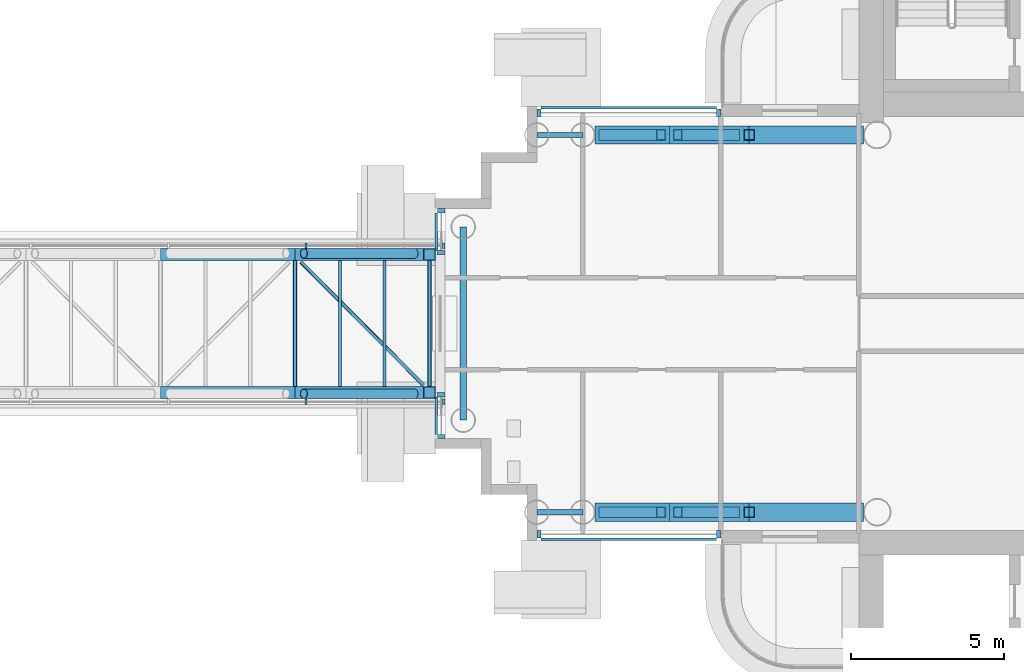
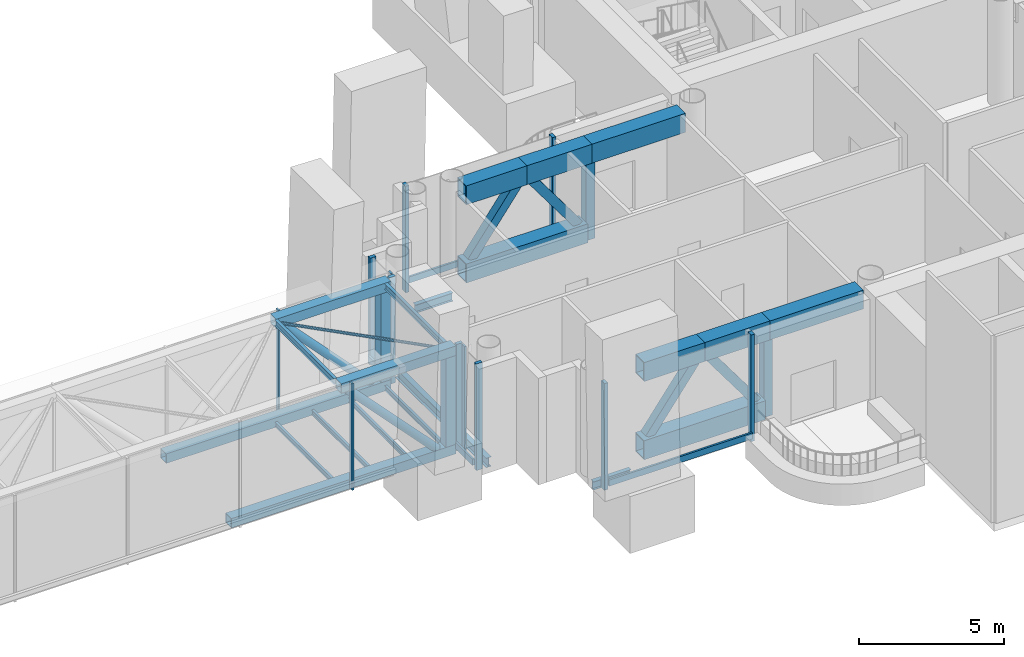
# One storey, part 7 of 26: 39 members, 9 beams, 6 elements without a shape of their own.
"""IFC4 building model written with IfcOpenShell, lengths in metres."""

from ifc_helpers import new_model, si_unit, direction, frame, origin, origin_2d, place, context, subcontext, project, spatial, rectangle, hollow_rectangle, hollow_circle, i_section, extrude, material, layer, layer_set, material_profile, profile_set, type_object, element, aggregate, save


model = new_model("IFC4")

# Units and contexts
model_context = context("Model", 3, precision=1e-05, world=origin(), true_north=direction((0.0, 1.0)))
body_context = subcontext(model_context, "Body", "Model", "MODEL_VIEW")
ifc_project = project(units=[si_unit("LENGTHUNIT", "METRE"), si_unit("AREAUNIT", "SQUARE_METRE"), si_unit("VOLUMEUNIT", "CUBIC_METRE"), si_unit("PLANEANGLEUNIT", "RADIAN"), si_unit("MASSUNIT", "GRAM", prefix="KILO")], contexts=[model_context])

# Site, building, storey
site_placement = place(None, origin())
site = spatial("IfcSite", under=ifc_project, at=site_placement, CompositionType="ELEMENT")
building_placement = place(site_placement, origin())
building = spatial("IfcBuilding", under=site, at=building_placement, Name="Ipe Terrace Towers", CompositionType="ELEMENT")
storey_placement = place(building_placement, frame((0.0, 0.0, 181.300048828125)))
storey = spatial("IfcBuildingStorey", under=building, at=storey_placement, Name="L50", CompositionType="ELEMENT", Elevation=181.300048828125)

# Curtain wall, members
ifc_material_1 = material(Name="Aluminium alloy 6063-T6", Category="aluminium")
ifc_layer_1 = layer(ifc_material_1, 0.300048828125)
ifc_layer_set_1 = layer_set([ifc_layer_1], Name="BRIDGE ENCLOSURE CURTAIN WALL")
curtain_wall_type_1 = type_object("IfcCurtainWallType", Name="BRIDGE ENCLOSURE CURTAIN WALL", PredefinedType="NOTDEFINED", material=ifc_layer_set_1)
curtain_wall_1_placement = place(storey_placement, origin())
curtain_wall_1 = element("IfcCurtainWall", 1, at=curtain_wall_1_placement, inside=storey, type_object=curtain_wall_type_1, Name="BR3-CW1 curtain wall", PredefinedType="NOTDEFINED")
ifc_material_2 = material(Name="Aluminium alloy 6063-T6", Category="aluminium")
ifc_material_profile_1 = material_profile(ifc_material_2, rectangle(XDim=0.179931640625, YDim=0.070068359375, at=origin_2d()), Name="BRIDGE ENCLOSURE MULLION 180 x 70")
ifc_profile_set_1 = profile_set([ifc_material_profile_1], Name="Aluminium alloy 6063-T6")
member_type_1 = type_object("IfcMemberType", Name="BRIDGE ENCLOSURE MULLION 180 x 70", PredefinedType="MULLION", material=ifc_profile_set_1)
member_1_placement = place(storey_placement, frame((15.715087890625, 2.544921875, -0.300048828125), z_axis=(0.0, 0.0, 1.0), x_axis=(0.0, 1.0, 0.0)))
member_1 = element("IfcMember", 2, at=member_1_placement, type_object=member_type_1, Name="BR3-CW1 mullion 1", PredefinedType="MULLION", context=body_context, shape_type="SweptSolid", body=[
    extrude(rectangle(XDim=0.179931640625, YDim=0.070068359375, at=origin_2d()), origin(), (0.0, 0.0, 1.0), 4.5),
])
member_2_placement = place(storey_placement, frame((11.2265625, 2.544921875, -0.300048828125), z_axis=(0.0, 0.0, 1.0), x_axis=(0.0, 1.0, 0.0)))
member_2 = element("IfcMember", 3, at=member_2_placement, type_object=member_type_1, Name="BR3-CW1 mullion 2", PredefinedType="MULLION", context=body_context, shape_type="SweptSolid", body=[
    extrude(rectangle(XDim=0.179931640625, YDim=0.070068359375, at=origin_2d()), origin(), (0.0, 0.0, 1.0), 4.5),
])
aggregate(curtain_wall_1, [member_1, member_2])

curtain_wall_2_placement = place(storey_placement, origin())
curtain_wall_2 = element("IfcCurtainWall", 4, at=curtain_wall_2_placement, inside=storey, type_object=curtain_wall_type_1, Name="BR3-CW2 curtain wall", PredefinedType="NOTDEFINED")
member_3_placement = place(storey_placement, frame((11.2265625, -2.544921875, -0.300048828125), z_axis=(0.0, 0.0, 1.0), x_axis=(0.0, -1.0, 0.0)))
member_3 = element("IfcMember", 5, at=member_3_placement, type_object=member_type_1, Name="BR3-CW2 mullion 6", PredefinedType="MULLION", context=body_context, shape_type="SweptSolid", body=[
    extrude(rectangle(XDim=0.179931640625, YDim=0.070068359375, at=origin_2d()), origin(), (0.0, 0.0, 1.0), 4.5),
])
member_4_placement = place(storey_placement, frame((15.715087890625, -2.544921875, -0.300048828125), z_axis=(0.0, 0.0, 1.0), x_axis=(0.0, -1.0, 0.0)))
member_4 = element("IfcMember", 6, at=member_4_placement, type_object=member_type_1, Name="BR3-CW2 mullion 7", PredefinedType="MULLION", context=body_context, shape_type="SweptSolid", body=[
    extrude(rectangle(XDim=0.179931640625, YDim=0.070068359375, at=origin_2d()), origin(), (0.0, 0.0, 1.0), 4.5),
])
aggregate(curtain_wall_2, [member_3, member_4])

# Members
ifc_material_3 = material(Name="Steel S355", Category="steel")
ifc_material_profile_2 = material_profile(ifc_material_3, hollow_rectangle(XDim=0.39990234375, YDim=0.39990234375, WallThickness=0.02001953125, at=origin_2d()), Name="BRIDGE-CHORD BOX 400x400x20")
ifc_profile_set_2 = profile_set([ifc_material_profile_2], Name="Steel S355")
member_type_2 = type_object("IfcMemberType", Name="BRIDGE-CHORD BOX 400x400x20", PredefinedType="CHORD", material=ifc_profile_set_2)
member_5_placement = place(storey_placement, frame((6.48291015625, -2.25, -0.150146484375), z_axis=(1.0, 0.0, 0.0), x_axis=(0.0, 1.0, 0.0)))
element("IfcMember", 7, at=member_5_placement, inside=storey, type_object=member_type_2, Name="BR3-TSBC-003 bottom chord", PredefinedType="CHORD", context=body_context, shape_type="SweptSolid", body=[
    extrude(hollow_rectangle(XDim=0.39990234375, YDim=0.39990234375, WallThickness=0.02001953125, at=origin_2d()), origin(), (0.0, 0.0, 1.0), 8.967041015625),
])
member_6_placement = place(storey_placement, frame((10.865966796875, -2.25, 4.0), z_axis=(1.0, 0.0, 0.0), x_axis=(0.0, 1.0, 0.0)))
element("IfcMember", 8, at=member_6_placement, inside=storey, type_object=member_type_2, Name="BR3-TSTC-007 top chord", PredefinedType="CHORD", context=body_context, shape_type="SweptSolid", body=[
    extrude(hollow_rectangle(XDim=0.39990234375, YDim=0.39990234375, WallThickness=0.02001953125, at=origin_2d()), origin(), (0.0, 0.0, 1.0), 4.583984375),
])
member_7_placement = place(storey_placement, frame((6.48291015625, 2.25, -0.150146484375), z_axis=(1.0, 0.0, 0.0), x_axis=(0.0, 1.0, 0.0)))
element("IfcMember", 9, at=member_7_placement, inside=storey, type_object=member_type_2, Name="BR3-TNBC-018 bottom chord", PredefinedType="CHORD", context=body_context, shape_type="SweptSolid", body=[
    extrude(hollow_rectangle(XDim=0.39990234375, YDim=0.39990234375, WallThickness=0.02001953125, at=origin_2d()), origin(), (0.0, 0.0, 1.0), 8.967041015625),
])
member_8_placement = place(storey_placement, frame((10.865966796875, 2.25, 4.0), z_axis=(1.0, 0.0, 0.0), x_axis=(0.0, 1.0, 0.0)))
element("IfcMember", 10, at=member_8_placement, inside=storey, type_object=member_type_2, Name="BR3-TNTC-022 top chord", PredefinedType="CHORD", context=body_context, shape_type="SweptSolid", body=[
    extrude(hollow_rectangle(XDim=0.39990234375, YDim=0.39990234375, WallThickness=0.02001953125, at=origin_2d()), origin(), (0.0, 0.0, 1.0), 4.583984375),
])

# Beams
ifc_material_4 = material(Name="Steel S355", Category="steel")
ifc_material_profile_3 = material_profile(ifc_material_4, i_section(OverallWidth=0.10009765625, OverallDepth=0.199951171875, WebThickness=0.005615234375, FlangeThickness=0.008056640625, at=origin_2d()), Name="H200x100")
ifc_profile_set_3 = profile_set([ifc_material_profile_3], Name="Steel S355")
beam_type_1 = type_object("IfcBeamType", Name="BRIDGE-DECK BEAM H200x100", PredefinedType="BEAM", material=ifc_profile_set_3)
for number, where, z_axis, x_axis, name in (
    (11, (10.866943359375, -2.050048828125, -0.219970703125), (0.0, 1.0, 0.0), (-1.0, 0.0, 0.0), "BR3-DB-046 deck beam"),
    (12, (12.327880859375, -2.050048828125, -0.219970703125), (0.0, 1.0, 0.0), (-1.0, 0.0, 0.0), "BR3-DB-047 deck beam"),
    (13, (13.7890625, -2.050048828125, -0.219970703125), (0.0, 1.0, 0.0), (-1.0, 0.0, 0.0), "BR3-DB-048 deck beam"),
    (14, (15.25, -2.050048828125, -0.219970703125), (0.0, 1.0, 0.0), (-1.0, 0.0, 0.0), "BR3-DB-049 deck beam"),
):
    element("IfcBeam", number, at=place(storey_placement, frame(where, z_axis=z_axis, x_axis=x_axis)), inside=storey, type_object=beam_type_1, Name=name, PredefinedType="BEAM", context=body_context, shape_type="SweptSolid", body=[
        extrude(i_section(OverallWidth=0.10009765625, OverallDepth=0.199951171875, WebThickness=0.005615234375, FlangeThickness=0.008056640625, at=origin_2d()), origin(), (0.0, 0.0, 1.0), 4.10009765625),
    ])

# Members
ifc_material_5 = material(Name="Steel S355", Category="steel")
ifc_material_profile_4 = material_profile(ifc_material_5, hollow_circle(Radius=0.162109375, WallThickness=0.013916015625, at=origin_2d()), Name="BRIDGE-DIAGONAL CHS 324x14")
ifc_profile_set_4 = profile_set([ifc_material_profile_4], Name="Steel S355")
member_type_3 = type_object("IfcMemberType", Name="BRIDGE-DIAGONAL CHS 324x14", PredefinedType="BRACE", material=ifc_profile_set_4)
for number, where, z_axis, x_axis, name in (
    (15, (11.156005859375, -2.2880859375, 3.820068359375), (0.689097799384, 0.0, -0.724668353721), (0.0, 1.0, 0.0), "BR3-TSD-015 diagonal"),
    (16, (11.156005859375, 2.2880859375, 3.820068359375), (0.689097799384, 0.0, -0.724668353721), (0.0, 1.0, 0.0), "BR3-TND-030 diagonal"),
):
    element("IfcMember", number, at=place(storey_placement, frame(where, z_axis=z_axis, x_axis=x_axis)), inside=storey, type_object=member_type_3, Name=name, PredefinedType="BRACE", context=body_context, shape_type="SweptSolid", body=[
        extrude(hollow_circle(Radius=0.162109375, WallThickness=0.013916015625, at=origin_2d()), origin(), (0.0, 0.0, 1.0), 5.22998046875),
    ])
ifc_material_6 = material(Name="Steel S355", Category="steel")
ifc_material_profile_5 = material_profile(ifc_material_6, hollow_circle(Radius=0.05712890625, WallThickness=0.006103515625, at=origin_2d()), Name="BRIDGE-PLAN BRACE CHS 114x6")
ifc_profile_set_5 = profile_set([ifc_material_profile_5], Name="Steel S355")
member_type_4 = type_object("IfcMemberType", Name="BRIDGE-PLAN BRACE CHS 114x6", PredefinedType="BRACE", material=ifc_profile_set_5)
member_9_placement = place(storey_placement, frame((11.055908203125, 2.010009765625, 4.0), z_axis=(0.705706978969, -0.708503817798, 0.0), x_axis=(0.708503817798, 0.705706978969, 0.0)))
element("IfcMember", 17, at=member_9_placement, inside=storey, type_object=member_type_4, Name="BR3-PB-062 roof plan brace", PredefinedType="BRACE", context=body_context, shape_type="SweptSolid", body=[
    extrude(hollow_circle(Radius=0.05712890625, WallThickness=0.006103515625, at=origin_2d()), origin(), (0.0, 0.0, 1.0), 5.674072265625),
])
ifc_material_7 = material(Name="Steel S355", Category="steel")
ifc_material_profile_6 = material_profile(ifc_material_7, hollow_rectangle(XDim=0.39990234375, YDim=0.39990234375, WallThickness=0.02001953125, at=origin_2d()), Name="BRIDGE-POST BOX 400x400x20")
ifc_profile_set_6 = profile_set([ifc_material_profile_6], Name="Steel S355")
member_type_5 = type_object("IfcMemberType", Name="BRIDGE-POST BOX 400x400x20", PredefinedType="POST", material=ifc_profile_set_6)
for number, where, z_axis, x_axis, name in (
    (18, (15.25, -2.25, 0.050048828125), (0.0, 0.0, 1.0), (1.0, 0.0, 0.0), "BR3-TSP-009 end post"),
    (19, (15.25, 2.25, 0.050048828125), (0.0, 0.0, 1.0), (1.0, 0.0, 0.0), "BR3-TNP-024 end post"),
):
    element("IfcMember", number, at=place(storey_placement, frame(where, z_axis=z_axis, x_axis=x_axis)), inside=storey, type_object=member_type_5, Name=name, PredefinedType="POST", context=body_context, shape_type="SweptSolid", body=[
        extrude(hollow_rectangle(XDim=0.39990234375, YDim=0.39990234375, WallThickness=0.02001953125, at=origin_2d()), origin(), (0.0, 0.0, 1.0), 3.75),
    ])

# Beams
ifc_material_8 = material(Name="Steel S355", Category="steel")
ifc_material_profile_7 = material_profile(ifc_material_8, i_section(OverallWidth=0.125, OverallDepth=0.25, WebThickness=0.006103515625, FlangeThickness=0.009033203125, at=origin_2d()), Name="H250x125")
ifc_profile_set_7 = profile_set([ifc_material_profile_7], Name="Steel S355")
beam_type_2 = type_object("IfcBeamType", Name="BRIDGE-ROOF BEAM H250x125", PredefinedType="BEAM", material=ifc_profile_set_7)
for number, where, z_axis, x_axis, name in (
    (20, (10.865966796875, -2.050048828125, 4.074951171875), (0.0, 1.0, 0.0), (-1.0, 0.0, 0.0), "BR3-RB-055 roof beam"),
    (21, (15.25, -2.050048828125, 4.074951171875), (0.0, 1.0, 0.0), (-1.0, 0.0, 0.0), "BR3-RB-056 roof beam"),
):
    element("IfcBeam", number, at=place(storey_placement, frame(where, z_axis=z_axis, x_axis=x_axis)), inside=storey, type_object=beam_type_2, Name=name, PredefinedType="BEAM", context=body_context, shape_type="SweptSolid", body=[
        extrude(i_section(OverallWidth=0.125, OverallDepth=0.25, WebThickness=0.006103515625, FlangeThickness=0.009033203125, at=origin_2d()), origin(), (0.0, 0.0, 1.0), 4.10009765625),
    ])
ifc_material_9 = material(Name="Steel S355", Category="steel")
ifc_material_profile_8 = material_profile(ifc_material_9, i_section(OverallWidth=0.175048828125, OverallDepth=0.35009765625, WebThickness=0.007080078125, FlangeThickness=0.010986328125, at=origin_2d()), Name="H-350x175x7x11")
ifc_profile_set_8 = profile_set([ifc_material_profile_8], Name="Steel S355")
beam_type_3 = type_object("IfcBeamType", Name="H04 EDGE BEAM H-350x175x7x11", PredefinedType="BEAM", material=ifc_profile_set_8)
for number, where, z_axis, x_axis, name in (
    (22, (20.25, 6.14990234375, -0.574951171875), (-1.0, 0.0, 0.0), (0.0, -1.0, 0.0), "Edge beam T2-EB-B03-B05"),
    (23, (20.25, -6.14990234375, -0.574951171875), (-1.0, 0.0, 0.0), (0.0, -1.0, 0.0), "Edge beam T2-EB-B04-B06"),
):
    element("IfcBeam", number, at=place(storey_placement, frame(where, z_axis=z_axis, x_axis=x_axis)), inside=storey, type_object=beam_type_3, Name=name, PredefinedType="BEAM", context=body_context, shape_type="SweptSolid", body=[
        extrude(i_section(OverallWidth=0.175048828125, OverallDepth=0.35009765625, WebThickness=0.007080078125, FlangeThickness=0.010986328125, at=origin_2d()), origin(), (0.0, 0.0, 1.0), 1.5),
    ])
ifc_material_10 = material(Name="Steel S355", Category="steel")
ifc_material_profile_9 = material_profile(ifc_material_10, i_section(OverallWidth=0.199951171875, OverallDepth=0.39990234375, WebThickness=0.008056640625, FlangeThickness=0.012939453125, at=origin_2d()), Name="H-400x200x8x13")
ifc_profile_set_9 = profile_set([ifc_material_profile_9], Name="Steel S355")
beam_type_4 = type_object("IfcBeamType", Name="H06 EDGE BEAM H-400x200x8x13", PredefinedType="BEAM", material=ifc_profile_set_9)
beam_placement = place(storey_placement, frame((16.35009765625, 3.14990234375, -0.60009765625), z_axis=(0.0, -1.0, 0.0), x_axis=(1.0, 0.0, 0.0)))
element("IfcBeam", 24, at=beam_placement, inside=storey, type_object=beam_type_4, Name="Edge beam T2-EB-B07-B08", PredefinedType="BEAM", context=body_context, shape_type="SweptSolid", body=[
    extrude(i_section(OverallWidth=0.199951171875, OverallDepth=0.39990234375, WebThickness=0.008056640625, FlangeThickness=0.012939453125, at=origin_2d()), origin(), (0.0, 0.0, 1.0), 6.2998046875),
])

# Members
ifc_material_11 = material(Name="Steel S355", Category="steel")
ifc_material_profile_10 = material_profile(ifc_material_11, hollow_rectangle(XDim=0.35009765625, YDim=0.35009765625, WallThickness=0.02001953125, at=origin_2d()), Name="OUTRIGGER-BRACE BOX 350x350x20")
ifc_profile_set_10 = profile_set([ifc_material_profile_10], Name="Steel S355")
member_type_6 = type_object("IfcMemberType", Name="OUTRIGGER-BRACE BOX 350x350x20", PredefinedType="BRACE", material=ifc_profile_set_10)
for number, where, z_axis, x_axis, name in (
    (25, (25.22509765625, -6.14990234375, 0.780029296875), (-0.593895203559, 0.0, 0.804542408571), (0.0, -1.0, 0.0), "T2-OR-L50-266 diagonal"),
    (26, (20.925048828125, -6.14990234375, 0.780029296875), (0.593895203559, 0.0, 0.804542408571), (0.0, 1.0, 0.0), "T2-OR-L50-267 diagonal"),
    (27, (25.22509765625, 6.14990234375, 0.780029296875), (-0.593895203559, 0.0, 0.804542408571), (0.0, -1.0, 0.0), "T2-OR-L50-273 diagonal"),
    (28, (20.925048828125, 6.14990234375, 0.780029296875), (0.593895203559, 0.0, 0.804542408571), (0.0, 1.0, 0.0), "T2-OR-L50-274 diagonal"),
):
    element("IfcMember", number, at=place(storey_placement, frame(where, z_axis=z_axis, x_axis=x_axis)), inside=storey, type_object=member_type_6, Name=name, PredefinedType="BRACE", context=body_context, shape_type="SweptSolid", body=[
        extrude(hollow_rectangle(XDim=0.35009765625, YDim=0.35009765625, WallThickness=0.02001953125, at=origin_2d()), origin(), (0.0, 0.0, 1.0), 3.1572265625),
    ])
ifc_material_12 = material(Name="Steel S355", Category="steel")
ifc_material_profile_11 = material_profile(ifc_material_12, hollow_rectangle(XDim=0.60009765625, YDim=0.800048828125, WallThickness=0.0400390625, at=origin_2d()), Name="OUTRIGGER-CHORD BOX 600x800x40")
ifc_profile_set_11 = profile_set([ifc_material_profile_11], Name="Steel S355")
member_type_7 = type_object("IfcMemberType", Name="OUTRIGGER-CHORD BOX 600x800x40", PredefinedType="CHORD", material=ifc_profile_set_11)
member_10_placement = place(storey_placement, frame((25.5, -6.14990234375, 0.39990234375), z_axis=(-1.0, 0.0, 0.0), x_axis=(0.0, -1.0, 0.0)))
element("IfcMember", 29, at=member_10_placement, inside=storey, type_object=member_type_7, Name="T2-OR-L50-265 bottom chord", PredefinedType="CHORD", context=body_context, shape_type="SweptSolid", body=[
    extrude(hollow_rectangle(XDim=0.60009765625, YDim=0.800048828125, WallThickness=0.0400390625, at=origin_2d()), origin(), (0.0, 0.0, 1.0), 4.85009765625),
])
member_11_placement = place(storey_placement, frame((29.39990234375, -6.14990234375, 3.699951171875), z_axis=(-1.0, 0.0, 0.0), x_axis=(0.0, -1.0, 0.0)))
element("IfcMember", 30, at=member_11_placement, inside=storey, type_object=member_type_7, Name="T2-OR-L50-269 top chord", PredefinedType="CHORD", context=body_context, shape_type="SweptSolid", body=[
    extrude(hollow_rectangle(XDim=0.60009765625, YDim=0.800048828125, WallThickness=0.0400390625, at=origin_2d()), origin(), (0.0, 0.0, 1.0), 3.724853515625),
])
member_12_placement = place(storey_placement, frame((25.675048828125, -6.14990234375, 3.699951171875), z_axis=(-1.0, 0.0, 0.0), x_axis=(0.0, -1.0, 0.0)))
element("IfcMember", 31, at=member_12_placement, inside=storey, type_object=member_type_7, Name="T2-OR-L50-270 top chord", PredefinedType="CHORD", context=body_context, shape_type="SweptSolid", body=[
    extrude(hollow_rectangle(XDim=0.60009765625, YDim=0.800048828125, WallThickness=0.0400390625, at=origin_2d()), origin(), (0.0, 0.0, 1.0), 2.60009765625),
])
member_13_placement = place(storey_placement, frame((23.074951171875, -6.14990234375, 3.699951171875), z_axis=(-1.0, 0.0, 0.0), x_axis=(0.0, -1.0, 0.0)))
element("IfcMember", 32, at=member_13_placement, inside=storey, type_object=member_type_7, Name="T2-OR-L50-271 top chord", PredefinedType="CHORD", context=body_context, shape_type="SweptSolid", body=[
    extrude(hollow_rectangle(XDim=0.60009765625, YDim=0.800048828125, WallThickness=0.0400390625, at=origin_2d()), origin(), (0.0, 0.0, 1.0), 2.425048828125),
])
member_14_placement = place(storey_placement, frame((25.5, 6.14990234375, 0.39990234375), z_axis=(-1.0, 0.0, 0.0), x_axis=(0.0, -1.0, 0.0)))
element("IfcMember", 33, at=member_14_placement, inside=storey, type_object=member_type_7, Name="T2-OR-L50-272 bottom chord", PredefinedType="CHORD", context=body_context, shape_type="SweptSolid", body=[
    extrude(hollow_rectangle(XDim=0.60009765625, YDim=0.800048828125, WallThickness=0.0400390625, at=origin_2d()), origin(), (0.0, 0.0, 1.0), 4.85009765625),
])
member_15_placement = place(storey_placement, frame((29.39990234375, 6.14990234375, 3.699951171875), z_axis=(-1.0, 0.0, 0.0), x_axis=(0.0, -1.0, 0.0)))
element("IfcMember", 34, at=member_15_placement, inside=storey, type_object=member_type_7, Name="T2-OR-L50-276 top chord", PredefinedType="CHORD", context=body_context, shape_type="SweptSolid", body=[
    extrude(hollow_rectangle(XDim=0.60009765625, YDim=0.800048828125, WallThickness=0.0400390625, at=origin_2d()), origin(), (0.0, 0.0, 1.0), 3.724853515625),
])
member_16_placement = place(storey_placement, frame((25.675048828125, 6.14990234375, 3.699951171875), z_axis=(-1.0, 0.0, 0.0), x_axis=(0.0, -1.0, 0.0)))
element("IfcMember", 35, at=member_16_placement, inside=storey, type_object=member_type_7, Name="T2-OR-L50-277 top chord", PredefinedType="CHORD", context=body_context, shape_type="SweptSolid", body=[
    extrude(hollow_rectangle(XDim=0.60009765625, YDim=0.800048828125, WallThickness=0.0400390625, at=origin_2d()), origin(), (0.0, 0.0, 1.0), 2.60009765625),
])
member_17_placement = place(storey_placement, frame((23.074951171875, 6.14990234375, 3.699951171875), z_axis=(-1.0, 0.0, 0.0), x_axis=(0.0, -1.0, 0.0)))
element("IfcMember", 36, at=member_17_placement, inside=storey, type_object=member_type_7, Name="T2-OR-L50-278 top chord", PredefinedType="CHORD", context=body_context, shape_type="SweptSolid", body=[
    extrude(hollow_rectangle(XDim=0.60009765625, YDim=0.800048828125, WallThickness=0.0400390625, at=origin_2d()), origin(), (0.0, 0.0, 1.0), 2.425048828125),
])
ifc_material_13 = material(Name="Steel S355", Category="steel")
ifc_material_profile_12 = material_profile(ifc_material_13, hollow_rectangle(XDim=0.35009765625, YDim=0.35009765625, WallThickness=0.02001953125, at=origin_2d()), Name="OUTRIGGER-POST BOX 350x350x20")
ifc_profile_set_12 = profile_set([ifc_material_profile_12], Name="Steel S355")
member_type_8 = type_object("IfcMemberType", Name="OUTRIGGER-POST BOX 350x350x20", PredefinedType="POST", material=ifc_profile_set_12)
for number, where, z_axis, x_axis, name in (
    (37, (25.675048828125, -6.14990234375, 0.0), (0.0, 0.0, 1.0), (1.0, 0.0, 0.0), "T2-OR-L50-268 post"),
    (38, (25.675048828125, 6.14990234375, 0.0), (0.0, 0.0, 1.0), (1.0, 0.0, 0.0), "T2-OR-L50-275 post"),
):
    element("IfcMember", number, at=place(storey_placement, frame(where, z_axis=z_axis, x_axis=x_axis)), inside=storey, type_object=member_type_8, Name=name, PredefinedType="POST", context=body_context, shape_type="SweptSolid", body=[
        extrude(hollow_rectangle(XDim=0.35009765625, YDim=0.35009765625, WallThickness=0.02001953125, at=origin_2d()), origin(), (0.0, 0.0, 1.0), 3.300048828125),
    ])

# Curtain wall, members
ifc_material_14 = material(Name="Aluminium alloy 6063-T6", Category="aluminium")
ifc_layer_2 = layer(ifc_material_14, 0.320068359375)
ifc_layer_set_2 = layer_set([ifc_layer_2], Name="REFUGE FLOOR CURTAIN WALL")
curtain_wall_type_2 = type_object("IfcCurtainWallType", Name="REFUGE FLOOR CURTAIN WALL", PredefinedType="NOTDEFINED", material=ifc_layer_set_2)
curtain_wall_3_placement = place(storey_placement, origin())
curtain_wall_3 = element("IfcCurtainWall", 39, at=curtain_wall_3_placement, inside=storey, type_object=curtain_wall_type_2, Name="T2-CW-L50-29a curtain wall", PredefinedType="NOTDEFINED")
ifc_material_15 = material(Name="Aluminium alloy 6063-T6", Category="aluminium")
ifc_material_profile_13 = material_profile(ifc_material_15, rectangle(XDim=0.239990234375, YDim=0.139892578125, at=origin_2d()), Name="REFUGE FLOOR CORNER MULLION 240 x 140")
ifc_profile_set_13 = profile_set([ifc_material_profile_13], Name="Aluminium alloy 6063-T6")
member_type_9 = type_object("IfcMemberType", Name="REFUGE FLOOR CORNER MULLION 240 x 140", PredefinedType="MULLION", material=ifc_profile_set_13)
member_18_placement = place(storey_placement, frame((24.679931640625, 6.8701171875, -0.300048828125), z_axis=(0.0, 0.0, 1.0), x_axis=(0.0, 1.0, 0.0)))
member_18 = element("IfcMember", 40, at=member_18_placement, type_object=member_type_9, Name="T2-CW-L50-29a mullion 1", PredefinedType="MULLION", context=body_context, shape_type="SweptSolid", body=[
    extrude(rectangle(XDim=0.239990234375, YDim=0.139892578125, at=origin_2d()), origin(), (0.0, 0.0, 1.0), 4.5),
])
member_19_placement = place(storey_placement, frame((18.820068359375, 6.8701171875, -0.300048828125), z_axis=(0.0, 0.0, 1.0), x_axis=(0.0, 1.0, 0.0)))
member_19 = element("IfcMember", 41, at=member_19_placement, type_object=member_type_9, Name="T2-CW-L50-29a mullion 2", PredefinedType="MULLION", context=body_context, shape_type="SweptSolid", body=[
    extrude(rectangle(XDim=0.239990234375, YDim=0.139892578125, at=origin_2d()), origin(), (0.0, 0.0, 1.0), 4.5),
])

curtain_wall_4_placement = place(storey_placement, origin())
curtain_wall_4 = element("IfcCurtainWall", 42, at=curtain_wall_4_placement, inside=storey, type_object=curtain_wall_type_2, Name="T2-CW-L50-34a curtain wall", PredefinedType="NOTDEFINED")
member_20_placement = place(storey_placement, frame((15.6298828125, 3.679931640625, -0.300048828125), z_axis=(0.0, 0.0, 1.0), x_axis=(-1.0, 0.0, 0.0)))
member_20 = element("IfcMember", 43, at=member_20_placement, type_object=member_type_9, Name="T2-CW-L50-34a mullion 1", PredefinedType="MULLION", context=body_context, shape_type="SweptSolid", body=[
    extrude(rectangle(XDim=0.239990234375, YDim=0.139892578125, at=origin_2d()), origin(), (0.0, 0.0, 1.0), 4.5),
])
member_21_placement = place(storey_placement, frame((15.6298828125, 2.320068359375, -0.300048828125), z_axis=(0.0, 0.0, 1.0), x_axis=(-1.0, 0.0, 0.0)))
member_21 = element("IfcMember", 44, at=member_21_placement, type_object=member_type_9, Name="T2-CW-L50-34a mullion 2", PredefinedType="MULLION", context=body_context, shape_type="SweptSolid", body=[
    extrude(rectangle(XDim=0.239990234375, YDim=0.139892578125, at=origin_2d()), origin(), (0.0, 0.0, 1.0), 4.5),
])

curtain_wall_5_placement = place(storey_placement, origin())
curtain_wall_5 = element("IfcCurtainWall", 45, at=curtain_wall_5_placement, inside=storey, type_object=curtain_wall_type_2, Name="T2-CW-L50-34c curtain wall", PredefinedType="NOTDEFINED")
member_22_placement = place(storey_placement, frame((15.6298828125, -2.320068359375, -0.300048828125), z_axis=(0.0, 0.0, 1.0), x_axis=(-1.0, 0.0, 0.0)))
member_22 = element("IfcMember", 46, at=member_22_placement, type_object=member_type_9, Name="T2-CW-L50-34c mullion 1", PredefinedType="MULLION", context=body_context, shape_type="SweptSolid", body=[
    extrude(rectangle(XDim=0.239990234375, YDim=0.139892578125, at=origin_2d()), origin(), (0.0, 0.0, 1.0), 4.5),
])
member_23_placement = place(storey_placement, frame((15.6298828125, -3.679931640625, -0.300048828125), z_axis=(0.0, 0.0, 1.0), x_axis=(-1.0, 0.0, 0.0)))
member_23 = element("IfcMember", 47, at=member_23_placement, type_object=member_type_9, Name="T2-CW-L50-34c mullion 2", PredefinedType="MULLION", context=body_context, shape_type="SweptSolid", body=[
    extrude(rectangle(XDim=0.239990234375, YDim=0.139892578125, at=origin_2d()), origin(), (0.0, 0.0, 1.0), 4.5),
])

curtain_wall_6_placement = place(storey_placement, origin())
curtain_wall_6 = element("IfcCurtainWall", 48, at=curtain_wall_6_placement, inside=storey, type_object=curtain_wall_type_2, Name="T2-CW-L50-39a curtain wall", PredefinedType="NOTDEFINED")
member_24_placement = place(storey_placement, frame((18.820068359375, -6.8701171875, -0.300048828125), z_axis=(0.0, 0.0, 1.0), x_axis=(0.0, -1.0, 0.0)))
member_24 = element("IfcMember", 49, at=member_24_placement, type_object=member_type_9, Name="T2-CW-L50-39a mullion 1", PredefinedType="MULLION", context=body_context, shape_type="SweptSolid", body=[
    extrude(rectangle(XDim=0.239990234375, YDim=0.139892578125, at=origin_2d()), origin(), (0.0, 0.0, 1.0), 4.5),
])
member_25_placement = place(storey_placement, frame((24.679931640625, -6.8701171875, -0.300048828125), z_axis=(0.0, 0.0, 1.0), x_axis=(0.0, -1.0, 0.0)))
member_25 = element("IfcMember", 50, at=member_25_placement, type_object=member_type_9, Name="T2-CW-L50-39a mullion 2", PredefinedType="MULLION", context=body_context, shape_type="SweptSolid", body=[
    extrude(rectangle(XDim=0.239990234375, YDim=0.139892578125, at=origin_2d()), origin(), (0.0, 0.0, 1.0), 4.5),
])

# Member
ifc_material_16 = material(Name="Aluminium alloy 6063-T6", Category="aluminium")
ifc_material_profile_14 = material_profile(ifc_material_16, rectangle(XDim=0.080078125, YDim=0.260009765625, at=origin_2d()), Name="REFUGE FLOOR TRANSOM 80 x 260")
ifc_profile_set_14 = profile_set([ifc_material_profile_14], Name="Aluminium alloy 6063-T6")
member_type_10 = type_object("IfcMemberType", Name="REFUGE FLOOR TRANSOM 80 x 260", PredefinedType="USERDEFINED", material=ifc_profile_set_14)
member_26_placement = place(storey_placement, frame((24.610107421875, 7.030029296875, 0.0), z_axis=(-1.0, 0.0, 0.0), x_axis=(0.0, 1.0, 0.0)))
member_26 = element("IfcMember", 51, at=member_26_placement, type_object=member_type_10, Name="T2-CW-L50-29a transom", ObjectType="TRANSOM", PredefinedType="USERDEFINED", context=body_context, shape_type="SweptSolid", body=[
    extrude(rectangle(XDim=0.080078125, YDim=0.260009765625, at=origin_2d()), origin(), (0.0, 0.0, 1.0), 5.72021484375),
])

aggregate(curtain_wall_3, [member_18, member_19, member_26])

member_27_placement = place(storey_placement, frame((15.469970703125, 3.610107421875, 0.0), z_axis=(0.0, -1.0, 0.0), x_axis=(-1.0, 0.0, 0.0)))
member_27 = element("IfcMember", 52, at=member_27_placement, type_object=member_type_10, Name="T2-CW-L50-34a transom", ObjectType="TRANSOM", PredefinedType="USERDEFINED", context=body_context, shape_type="SweptSolid", body=[
    extrude(rectangle(XDim=0.080078125, YDim=0.260009765625, at=origin_2d()), origin(), (0.0, 0.0, 1.0), 1.22021484375),
])

aggregate(curtain_wall_4, [member_20, member_21, member_27])

member_28_placement = place(storey_placement, frame((15.469970703125, -2.389892578125, 0.0), z_axis=(0.0, -1.0, 0.0), x_axis=(-1.0, 0.0, 0.0)))
member_28 = element("IfcMember", 53, at=member_28_placement, type_object=member_type_10, Name="T2-CW-L50-34c transom", ObjectType="TRANSOM", PredefinedType="USERDEFINED", context=body_context, shape_type="SweptSolid", body=[
    extrude(rectangle(XDim=0.080078125, YDim=0.260009765625, at=origin_2d()), origin(), (0.0, 0.0, 1.0), 1.22021484375),
])

aggregate(curtain_wall_5, [member_22, member_23, member_28])

member_29_placement = place(storey_placement, frame((18.889892578125, -7.030029296875, 0.0), z_axis=(1.0, 0.0, 0.0), x_axis=(0.0, -1.0, 0.0)))
member_29 = element("IfcMember", 54, at=member_29_placement, type_object=member_type_10, Name="T2-CW-L50-39a transom", ObjectType="TRANSOM", PredefinedType="USERDEFINED", context=body_context, shape_type="SweptSolid", body=[
    extrude(rectangle(XDim=0.080078125, YDim=0.260009765625, at=origin_2d()), origin(), (0.0, 0.0, 1.0), 5.72021484375),
])

aggregate(curtain_wall_6, [member_24, member_25, member_29])

save(model, "model.ifc")
